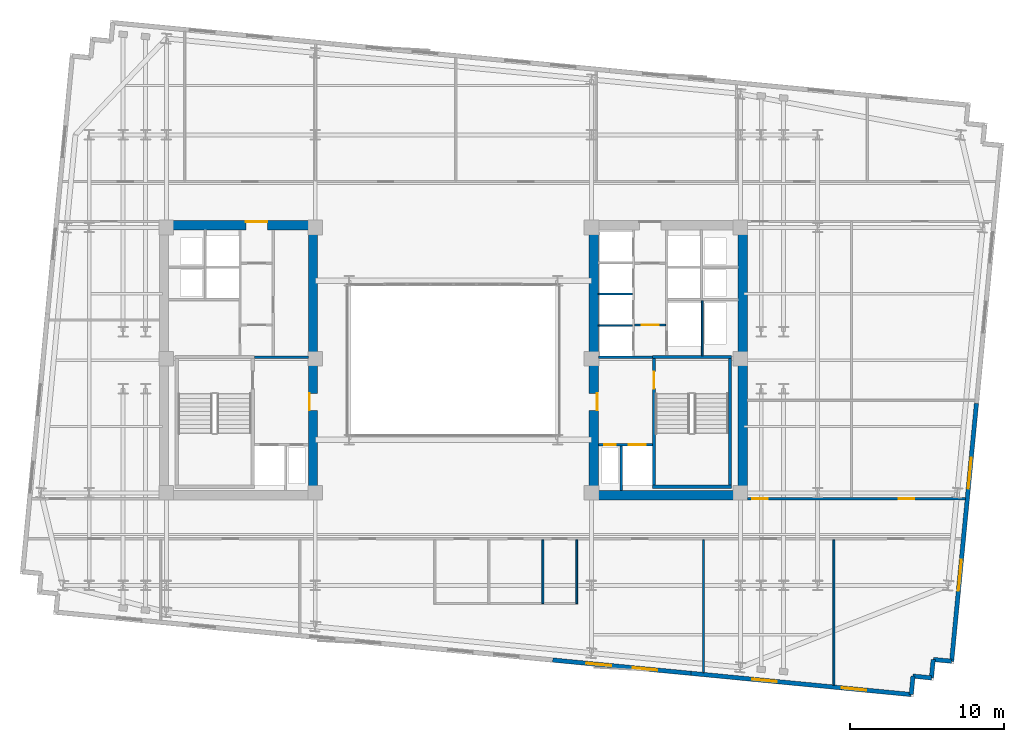
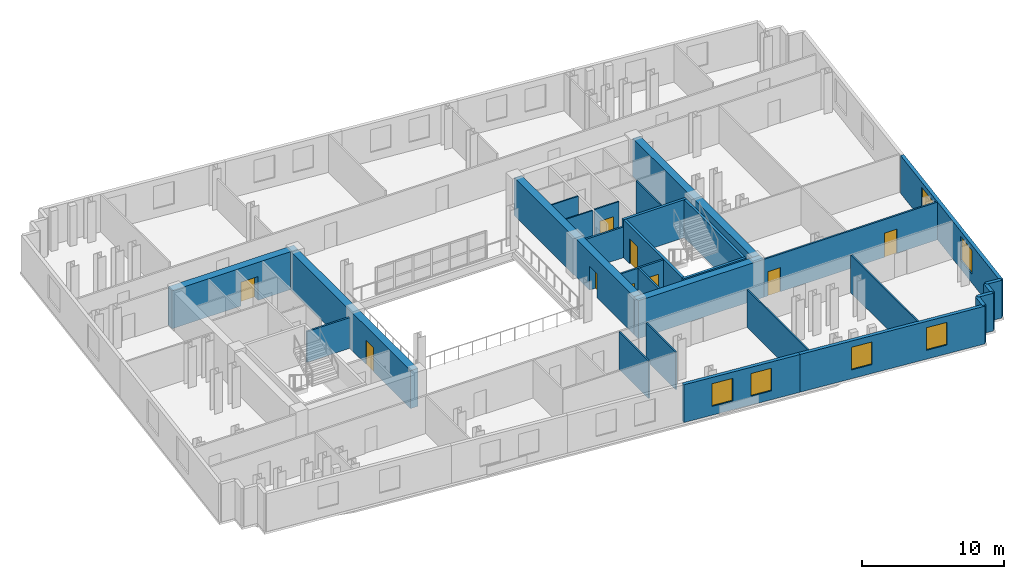
# One storey, part 6 of 10: 29 walls, 9 doors, 6 windows, 15 openings.
"""IFC4 building model written with IfcOpenShell, lengths in metres."""

from ifc_helpers import new_model, si_unit, direction, frame, frame_2d, origin, place, context, subcontext, project, spatial, rectangle, extrude, material, layer, layer_set, type_object, element, fill, save


model = new_model("IFC4")

# Units and contexts
model_context = context("Model", 3, precision=1e-05, world=origin(), true_north=direction((0.0, 1.0)))
body_context = subcontext(model_context, "Body", "Model", "MODEL_VIEW")
ifc_project = project(units=[si_unit("LENGTHUNIT", "METRE"), si_unit("AREAUNIT", "SQUARE_METRE"), si_unit("VOLUMEUNIT", "CUBIC_METRE"), si_unit("PLANEANGLEUNIT", "RADIAN"), si_unit("MASSUNIT", "GRAM", prefix="KILO")], contexts=[model_context])

# Site, building, storey
site_placement = place(None, origin())
site = spatial("IfcSite", under=ifc_project, at=site_placement, CompositionType="ELEMENT")
building_placement = place(site_placement, origin())
building = spatial("IfcBuilding", under=site, at=building_placement, Name="Velakula Bourse", CompositionType="ELEMENT")
storey_placement = place(building_placement, frame((0.0, 0.0, 188.0)))
storey = spatial("IfcBuildingStorey", under=building, at=storey_placement, Name="L51", CompositionType="ELEMENT", Elevation=188.0)

# Wall, opening, door
ifc_material_1 = material(Name="Concrete M50 (fck 50 MPa)", Category="concrete")
ifc_layer_1 = layer(ifc_material_1, 0.2099609375, Name="Concrete M50 (fck 50 MPa)", Category="concrete")
ifc_layer_set_1 = layer_set([ifc_layer_1], Name="Concrete M50 (fck 50 MPa)")
wall_type_1 = type_object("IfcWallType", Name="WL-CORE-210", PredefinedType="SHEAR", material=ifc_layer_set_1)
wall_1_placement = place(storey_placement, frame((12.9951171875, -8.10009765625, 0.0), z_axis=(0.0, 0.0, 1.0), x_axis=(0.0, 1.0, 0.0)))
wall_1 = element("IfcWall", 1, at=wall_1_placement, inside=storey, type_object=wall_type_1, Name="L51 Core E Stairwell Shear Wall IN", PredefinedType="SHEAR", context=body_context, shape_type="SweptSolid", body=[
    extrude(rectangle(XDim=8.2001953125, YDim=0.2099609375, at=frame_2d((4.10009765625, 0.0))), origin(), (0.0, 0.0, 1.0), 3.27001953125),
])
opening_1_placement = place(wall_1_placement, frame((6.25, 0.0, 0.0)))
opening_1 = element("IfcOpeningElement", 2, at=opening_1_placement, cuts=wall_1, Name="Opening D-STE1", PredefinedType="OPENING", context=body_context, shape_type="SweptSolid", body=[
    extrude(rectangle(XDim=1.10009765625, YDim=2.14990234375, at=frame_2d((0.550048828125, 1.074951171875))), frame((0.0, 0.114990234375, 0.0), z_axis=(0.0, -1.0, 0.0), x_axis=(1.0, 0.0, 0.0)), (0.0, 0.0, 1.0), 0.22998046875),
])
ifc_material_2 = material(Name="Galvanised painted hollow steel fire door", Category="steel")
door_type_1 = type_object("IfcDoorType", Name="DR-FD120-1100x2150", OperationType="NOTDEFINED", PredefinedType="DOOR", material=ifc_material_2)
door_1_placement = place(opening_1_placement, origin())
door_1 = element("IfcDoor", 3, at=door_1_placement, inside=storey, type_object=door_type_1, Name="L51 Stair ST-E1 Fire Door", OperationType="SINGLE_SWING_RIGHT", OverallHeight=2.14990234375, OverallWidth=1.10009765625, PredefinedType="DOOR", context=body_context, shape_type="SweptSolid", body=[
    extrude(rectangle(XDim=1.10009765625, YDim=2.14990234375, at=frame_2d((0.550048828125, 1.074951171875))), frame((0.0, 0.02490234375, 0.0), z_axis=(0.0, -1.0, 0.0), x_axis=(1.0, 0.0, 0.0)), (0.0, 0.0, 1.0), 0.050048828125),
])
fill(opening_1, door_1)

# Walls
wall_2_placement = place(storey_placement, frame((17.925048828125, -8.10009765625, 0.0), z_axis=(0.0, 0.0, 1.0), x_axis=(0.0, 1.0, 0.0)))
element("IfcWall", 4, at=wall_2_placement, inside=storey, type_object=wall_type_1, Name="L51 Core E Stairwell Shear Wall OUT", PredefinedType="SHEAR", context=body_context, shape_type="SweptSolid", body=[
    extrude(rectangle(XDim=8.2001953125, YDim=0.2099609375, at=frame_2d((4.10009765625, 0.0))), origin(), (0.0, 0.0, 1.0), 3.27001953125),
])
for number, where, z_axis, x_axis, name in (
    (5, (12.889892578125, -8.205078125, 0.0), (0.0, 0.0, 1.0), (1.0, 0.0, 0.0), "L51 Core E Stairwell Shear Wall S"),
    (6, (18.030029296875, 0.205078125, 0.0), (0.0, 0.0, 1.0), (-1.0, 0.0, 0.0), "L51 Core E Stairwell Shear Wall N"),
):
    element("IfcWall", number, at=place(storey_placement, frame(where, z_axis=z_axis, x_axis=x_axis)), inside=storey, type_object=wall_type_1, Name=name, PredefinedType="SHEAR", context=body_context, shape_type="SweptSolid", body=[
        extrude(rectangle(XDim=5.14013671875, YDim=0.2099609375, at=frame_2d((2.570068359375, 0.0))), origin(), (0.0, 0.0, 1.0), 3.27001953125),
    ])

# Wall, opening, door
ifc_material_3 = material(Name="Concrete M70 (fck 70 MPa)", Category="concrete")
ifc_layer_2 = layer(ifc_material_3, 0.60009765625, Name="Concrete M70 (fck 70 MPa)", Category="concrete")
ifc_layer_set_2 = layer_set([ifc_layer_2], Name="Concrete M70 (fck 70 MPa)")
wall_type_2 = type_object("IfcWallType", Name="WL-CORE-600", PredefinedType="SHEAR", material=ifc_layer_set_2)
wall_3_placement = place(storey_placement, frame((-19.050048828125, 8.75, 0.0), z_axis=(0.0, 0.0, 1.0), x_axis=(1.0, 0.0, 0.0)))
wall_3 = element("IfcWall", 7, at=wall_3_placement, inside=storey, type_object=wall_type_2, Name="L51 Core W Shear Wall N", PredefinedType="SHEAR", context=body_context, shape_type="SweptSolid", body=[
    extrude(rectangle(XDim=10.25, YDim=0.60009765625, at=frame_2d((5.125, 0.0))), origin(), (0.0, 0.0, 1.0), 3.27001953125),
])
opening_2_placement = place(wall_3_placement, frame((5.60009765625, 0.0, 0.0)))
opening_2 = element("IfcOpeningElement", 8, at=opening_2_placement, cuts=wall_3, Name="Opening D-LLW", PredefinedType="OPENING", context=body_context, shape_type="SweptSolid", body=[
    extrude(rectangle(XDim=1.39990234375, YDim=2.050048828125, at=frame_2d((0.699951171875, 1.02490234375))), frame((0.0, 0.31005859375, 0.0), z_axis=(0.0, -1.0, 0.0), x_axis=(1.0, 0.0, 0.0)), (0.0, 0.0, 1.0), 0.6201171875),
])
ifc_material_4 = material(Name="Fire-rated hardwood flush architectural door", Category="wood")
door_type_2 = type_object("IfcDoorType", Name="DR-DBL-FD60-1400", OperationType="DOUBLE_DOOR_SINGLE_SWING", PredefinedType="DOOR", material=ifc_material_4)
door_2_placement = place(opening_2_placement, origin())
door_2 = element("IfcDoor", 9, at=door_2_placement, inside=storey, type_object=door_type_2, Name="L51 Core W Lift Lobby Corridor Double Door", OperationType="DOUBLE_DOOR_SINGLE_SWING", OverallHeight=2.050048828125, OverallWidth=1.39990234375, PredefinedType="DOOR", context=body_context, shape_type="SweptSolid", body=[
    extrude(rectangle(XDim=1.39990234375, YDim=2.050048828125, at=frame_2d((0.699951171875, 1.02490234375))), frame((0.0, 0.2451171875, 0.0), z_axis=(0.0, -1.0, 0.0), x_axis=(1.0, 0.0, 0.0)), (0.0, 0.0, 1.0), 0.050048828125),
])
fill(opening_2, door_2)

wall_4_placement = place(storey_placement, frame((-9.10009765625, -8.449951171875, 0.0), z_axis=(0.0, 0.0, 1.0), x_axis=(0.0, 1.0, 0.0)))
wall_4 = element("IfcWall", 10, at=wall_4_placement, inside=storey, type_object=wall_type_2, Name="L51 Core W Shear Wall E", PredefinedType="SHEAR", context=body_context, shape_type="SweptSolid", body=[
    extrude(rectangle(XDim=16.89990234375, YDim=0.60009765625, at=frame_2d((8.449951171875, 0.0))), origin(), (0.0, 0.0, 1.0), 3.27001953125),
])
opening_3_placement = place(wall_4_placement, frame((5.199951171875, 0.0, 0.0)))
opening_3 = element("IfcOpeningElement", 11, at=opening_3_placement, cuts=wall_4, Name="Opening D-FLW", PredefinedType="OPENING", context=body_context, shape_type="SweptSolid", body=[
    extrude(rectangle(XDim=1.10009765625, YDim=2.080078125, at=frame_2d((0.550048828125, 1.0400390625))), frame((0.0, 0.31005859375, 0.0), z_axis=(0.0, -1.0, 0.0), x_axis=(1.0, 0.0, 0.0)), (0.0, 0.0, 1.0), 0.6201171875),
])
door_type_3 = type_object("IfcDoorType", Name="DR-FD120-1100", OperationType="NOTDEFINED", PredefinedType="DOOR", material=ifc_material_2)
door_3_placement = place(opening_3_placement, origin())
door_3 = element("IfcDoor", 12, at=door_3_placement, inside=storey, type_object=door_type_3, Name="L51 Firefighting Lobby W Corridor Fire Door", OperationType="SINGLE_SWING_LEFT", OverallHeight=2.080078125, OverallWidth=1.10009765625, PredefinedType="DOOR", context=body_context, shape_type="SweptSolid", body=[
    extrude(rectangle(XDim=1.10009765625, YDim=2.080078125, at=frame_2d((0.550048828125, 1.0400390625))), frame((0.0, 0.2548828125, 0.0), z_axis=(0.0, -1.0, 0.0), x_axis=(1.0, 0.0, 0.0)), (0.0, 0.0, 1.0), 0.050048828125),
])
fill(opening_3, door_3)

# Wall
wall_5_placement = place(storey_placement, frame((8.800048828125, -8.75, 0.0), z_axis=(0.0, 0.0, 1.0), x_axis=(1.0, 0.0, 0.0)))
element("IfcWall", 13, at=wall_5_placement, inside=storey, type_object=wall_type_2, Name="L51 Core E Shear Wall S", PredefinedType="SHEAR", context=body_context, shape_type="SweptSolid", body=[
    extrude(rectangle(XDim=10.25, YDim=0.60009765625, at=frame_2d((5.125, 0.0))), origin(), (0.0, 0.0, 1.0), 3.27001953125),
])

# Wall, opening, door
wall_6_placement = place(storey_placement, frame((9.10009765625, -8.449951171875, 0.0), z_axis=(0.0, 0.0, 1.0), x_axis=(0.0, 1.0, 0.0)))
wall_6 = element("IfcWall", 14, at=wall_6_placement, inside=storey, type_object=wall_type_2, Name="L51 Core E Shear Wall W", PredefinedType="SHEAR", context=body_context, shape_type="SweptSolid", body=[
    extrude(rectangle(XDim=16.89990234375, YDim=0.60009765625, at=frame_2d((8.449951171875, 0.0))), origin(), (0.0, 0.0, 1.0), 3.27001953125),
])
opening_4_placement = place(wall_6_placement, frame((5.199951171875, 0.0, 0.0)))
opening_4 = element("IfcOpeningElement", 15, at=opening_4_placement, cuts=wall_6, Name="Opening D-FLE", PredefinedType="OPENING", context=body_context, shape_type="SweptSolid", body=[
    extrude(rectangle(XDim=1.10009765625, YDim=2.080078125, at=frame_2d((0.550048828125, 1.0400390625))), frame((0.0, 0.31005859375, 0.0), z_axis=(0.0, -1.0, 0.0), x_axis=(1.0, 0.0, 0.0)), (0.0, 0.0, 1.0), 0.6201171875),
])
door_4_placement = place(opening_4_placement, origin())
door_4 = element("IfcDoor", 16, at=door_4_placement, inside=storey, type_object=door_type_3, Name="L51 Firefighting Lobby E Corridor Fire Door", OperationType="SINGLE_SWING_RIGHT", OverallHeight=2.080078125, OverallWidth=1.10009765625, PredefinedType="DOOR", context=body_context, shape_type="SweptSolid", body=[
    extrude(rectangle(XDim=1.10009765625, YDim=2.080078125, at=frame_2d((0.550048828125, 1.0400390625))), frame((0.0, -0.205078125, 0.0), z_axis=(0.0, -1.0, 0.0), x_axis=(1.0, 0.0, 0.0)), (0.0, 0.0, 1.0), 0.050048828125),
])
fill(opening_4, door_4)

# Wall
wall_7_placement = place(storey_placement, frame((18.75, -8.449951171875, 0.0), z_axis=(0.0, 0.0, 1.0), x_axis=(0.0, 1.0, 0.0)))
element("IfcWall", 17, at=wall_7_placement, inside=storey, type_object=wall_type_2, Name="L51 Core E Shear Wall E", PredefinedType="SHEAR", context=body_context, shape_type="SweptSolid", body=[
    extrude(rectangle(XDim=16.89990234375, YDim=0.60009765625, at=frame_2d((8.449951171875, 0.0))), origin(), (0.0, 0.0, 1.0), 3.27001953125),
])

# Wall, openings, windows
ifc_material_5 = material(Name="Red kilned clay facing brick masonry", Category="masonry")
ifc_layer_3 = layer(ifc_material_5, 0.280029296875, Name="Red kilned clay facing brick masonry", Category="masonry")
ifc_layer_set_3 = layer_set([ifc_layer_3], Name="Red kilned clay facing brick masonry")
wall_type_3 = type_object("IfcWallType", Name="WL-EXT-BRK-280", PredefinedType="STANDARD", material=ifc_layer_set_3)
wall_8_placement = place(storey_placement, frame((15.398681640625, -20.295654296875, 0.0), z_axis=(0.0, 0.0, 1.0), x_axis=(-0.995394455533, 0.09586385082, 0.0)))
wall_8 = element("IfcWall", 18, at=wall_8_placement, inside=storey, type_object=wall_type_3, Name="L51 S Brick Spandrel Wall B4", PredefinedType="STANDARD", context=body_context, shape_type="SweptSolid", body=[
    extrude(rectangle(XDim=9.000244140625, YDim=0.280029296875, at=frame_2d((4.5, 0.0))), origin(), (0.0, 0.0, 1.0), 3.25),
])
opening_5_placement = place(wall_8_placement, frame((2.199951171875, 0.0, 0.760009765625)))
opening_5 = element("IfcOpeningElement", 19, at=opening_5_placement, cuts=wall_8, Name="Opening W-02", PredefinedType="OPENING", context=body_context, shape_type="SweptSolid", body=[
    extrude(rectangle(XDim=1.60009765625, YDim=1.949951171875, at=frame_2d((0.800048828125, 0.97509765625))), frame((0.0, 0.14990234375, 0.0), z_axis=(0.0, -1.0, 0.0), x_axis=(1.0, 0.0, 0.0)), (0.0, 0.0, 1.0), 0.300048828125),
])
opening_6_placement = place(wall_8_placement, frame((5.199951171875, 0.0, 0.760009765625)))
opening_6 = element("IfcOpeningElement", 20, at=opening_6_placement, cuts=wall_8, Name="Opening W-02", PredefinedType="OPENING", context=body_context, shape_type="SweptSolid", body=[
    extrude(rectangle(XDim=1.60009765625, YDim=1.949951171875, at=frame_2d((0.800048828125, 0.97509765625))), frame((0.0, 0.14990234375, 0.0), z_axis=(0.0, -1.0, 0.0), x_axis=(1.0, 0.0, 0.0)), (0.0, 0.0, 1.0), 0.300048828125),
])
ifc_material_6 = material(Name="Double-glazed solar-control Low-E glass", Category="glass")
window_type_1 = type_object("IfcWindowType", Name="WIN-TWR-1600x2100", PartitioningType="SINGLE_PANEL", PredefinedType="WINDOW", material=ifc_material_6)
window_1_placement = place(opening_5_placement, origin())
window_1 = element("IfcWindow", 21, at=window_1_placement, inside=storey, type_object=window_type_1, Name="L51 Deep-Set Recessed Window 1", OverallHeight=1.949951171875, OverallWidth=1.60009765625, PartitioningType="SINGLE_PANEL", PredefinedType="WINDOW", context=body_context, shape_type="SweptSolid", body=[
    extrude(rectangle(XDim=1.60009765625, YDim=1.949951171875, at=frame_2d((0.800048828125, 0.97509765625))), frame((0.0, 0.030029296875, 0.0), z_axis=(0.0, -1.0, 0.0), x_axis=(1.0, 0.0, 0.0)), (0.0, 0.0, 1.0), 0.06005859375),
])
fill(opening_5, window_1)
window_2_placement = place(opening_6_placement, origin())
window_2 = element("IfcWindow", 22, at=window_2_placement, inside=storey, type_object=window_type_1, Name="L51 Deep-Set Recessed Window 2", OverallHeight=1.949951171875, OverallWidth=1.60009765625, PartitioningType="SINGLE_PANEL", PredefinedType="WINDOW", context=body_context, shape_type="SweptSolid", body=[
    extrude(rectangle(XDim=1.60009765625, YDim=1.949951171875, at=frame_2d((0.800048828125, 0.97509765625))), frame((0.0, 0.030029296875, 0.0), z_axis=(0.0, -1.0, 0.0), x_axis=(1.0, 0.0, 0.0)), (0.0, 0.0, 1.0), 0.06005859375),
])
fill(opening_6, window_2)

wall_9_placement = place(storey_placement, frame((29.672607421875, -21.669921875, 0.0), z_axis=(0.0, 0.0, 1.0), x_axis=(-0.995397230529, 0.095835032509, 0.0)))
wall_9 = element("IfcWall", 23, at=wall_9_placement, inside=storey, type_object=wall_type_3, Name="L51 S Brick Spandrel Wall B5", PredefinedType="STANDARD", context=body_context, shape_type="SweptSolid", body=[
    extrude(rectangle(XDim=14.33984375, YDim=0.280029296875, at=frame_2d((7.169921875, 0.0))), origin(), (0.0, 0.0, 1.0), 3.25),
])
opening_7_placement = place(wall_9_placement, frame((2.929931640625, 0.0, 0.760009765625)))
opening_7 = element("IfcOpeningElement", 24, at=opening_7_placement, cuts=wall_9, Name="Opening W-02", PredefinedType="OPENING", context=body_context, shape_type="SweptSolid", body=[
    extrude(rectangle(XDim=1.60009765625, YDim=1.949951171875, at=frame_2d((0.800048828125, 0.97509765625))), frame((0.0, 0.14990234375, 0.0), z_axis=(0.0, -1.0, 0.0), x_axis=(1.0, 0.0, 0.0)), (0.0, 0.0, 1.0), 0.300048828125),
])
opening_8_placement = place(wall_9_placement, frame((8.760009765625, 0.0, 0.760009765625)))
opening_8 = element("IfcOpeningElement", 25, at=opening_8_placement, cuts=wall_9, Name="Opening W-02", PredefinedType="OPENING", context=body_context, shape_type="SweptSolid", body=[
    extrude(rectangle(XDim=1.60009765625, YDim=1.949951171875, at=frame_2d((0.800048828125, 0.97509765625))), frame((0.0, 0.14990234375, 0.0), z_axis=(0.0, -1.0, 0.0), x_axis=(1.0, 0.0, 0.0)), (0.0, 0.0, 1.0), 0.300048828125),
])
window_3_placement = place(opening_7_placement, origin())
window_3 = element("IfcWindow", 26, at=window_3_placement, inside=storey, type_object=window_type_1, Name="L51 Deep-Set Recessed Window 1", OverallHeight=1.949951171875, OverallWidth=1.60009765625, PartitioningType="SINGLE_PANEL", PredefinedType="WINDOW", context=body_context, shape_type="SweptSolid", body=[
    extrude(rectangle(XDim=1.60009765625, YDim=1.949951171875, at=frame_2d((0.800048828125, 0.97509765625))), frame((0.0, 0.030029296875, 0.0), z_axis=(0.0, -1.0, 0.0), x_axis=(1.0, 0.0, 0.0)), (0.0, 0.0, 1.0), 0.06005859375),
])
fill(opening_7, window_3)
window_4_placement = place(opening_8_placement, origin())
window_4 = element("IfcWindow", 27, at=window_4_placement, inside=storey, type_object=window_type_1, Name="L51 Deep-Set Recessed Window 2", OverallHeight=1.949951171875, OverallWidth=1.60009765625, PartitioningType="SINGLE_PANEL", PredefinedType="WINDOW", context=body_context, shape_type="SweptSolid", body=[
    extrude(rectangle(XDim=1.60009765625, YDim=1.949951171875, at=frame_2d((0.800048828125, 0.97509765625))), frame((0.0, 0.030029296875, 0.0), z_axis=(0.0, -1.0, 0.0), x_axis=(1.0, 0.0, 0.0)), (0.0, 0.0, 1.0), 0.06005859375),
])
fill(opening_8, window_4)

wall_10_placement = place(storey_placement, frame((33.90087890625, -2.79833984375, 0.0), z_axis=(0.0, 0.0, 1.0), x_axis=(-0.095853434568, -0.99539545864, 0.0)))
wall_10 = element("IfcWall", 28, at=wall_10_placement, inside=storey, type_object=wall_type_3, Name="L51 E Brick End Wall W1", PredefinedType="STANDARD", context=body_context, shape_type="SweptSolid", body=[
    extrude(rectangle(XDim=16.7900390625, YDim=0.280029296875, at=frame_2d((8.39501953125, 0.0))), origin(), (0.0, 0.0, 1.0), 3.25),
])
opening_9_placement = place(wall_10_placement, frame((3.546630859375, 0.0, 0.760009765625)))
opening_9 = element("IfcOpeningElement", 29, at=opening_9_placement, cuts=wall_10, Name="Opening W-05", PredefinedType="OPENING", context=body_context, shape_type="SweptSolid", body=[
    extrude(rectangle(XDim=2.0, YDim=2.050048828125, at=frame_2d((1.0, 1.02490234375))), frame((0.0, 0.14990234375, 0.0), z_axis=(0.0, -1.0, 0.0), x_axis=(1.0, 0.0, 0.0)), (0.0, 0.0, 1.0), 0.300048828125),
])
opening_10_placement = place(wall_10_placement, frame((10.193359375, 0.0, 0.760009765625)))
opening_10 = element("IfcOpeningElement", 30, at=opening_10_placement, cuts=wall_10, Name="Opening W-05", PredefinedType="OPENING", context=body_context, shape_type="SweptSolid", body=[
    extrude(rectangle(XDim=2.0, YDim=2.050048828125, at=frame_2d((1.0, 1.02490234375))), frame((0.0, 0.14990234375, 0.0), z_axis=(0.0, -1.0, 0.0), x_axis=(1.0, 0.0, 0.0)), (0.0, 0.0, 1.0), 0.300048828125),
])
window_type_2 = type_object("IfcWindowType", Name="WIN-TWR-2000x2200", PartitioningType="DOUBLE_PANEL_VERTICAL", PredefinedType="WINDOW", material=ifc_material_6)
window_5_placement = place(opening_9_placement, origin())
window_5 = element("IfcWindow", 31, at=window_5_placement, inside=storey, type_object=window_type_2, Name="L51 Deep-Set Recessed Window 1", OverallHeight=2.050048828125, OverallWidth=2.0, PartitioningType="DOUBLE_PANEL_VERTICAL", PredefinedType="WINDOW", context=body_context, shape_type="SweptSolid", body=[
    extrude(rectangle(XDim=2.0, YDim=2.050048828125, at=frame_2d((1.0, 1.02490234375))), frame((0.0, 0.030029296875, 0.0), z_axis=(0.0, -1.0, 0.0), x_axis=(1.0, 0.0, 0.0)), (0.0, 0.0, 1.0), 0.06005859375),
])
fill(opening_9, window_5)
window_6_placement = place(opening_10_placement, origin())
window_6 = element("IfcWindow", 32, at=window_6_placement, inside=storey, type_object=window_type_2, Name="L51 Deep-Set Recessed Window 2", OverallHeight=2.050048828125, OverallWidth=2.0, PartitioningType="DOUBLE_PANEL_VERTICAL", PredefinedType="WINDOW", context=body_context, shape_type="SweptSolid", body=[
    extrude(rectangle(XDim=2.0, YDim=2.050048828125, at=frame_2d((1.0, 1.02490234375))), frame((0.0, 0.030029296875, 0.0), z_axis=(0.0, -1.0, 0.0), x_axis=(1.0, 0.0, 0.0)), (0.0, 0.0, 1.0), 0.06005859375),
])
fill(opening_10, window_6)

# Walls
for number, where, z_axis, x_axis, name in (
    (33, (29.672607421875, -21.669921875, 0.0), (0.0, 0.0, 1.0), (0.095836473879, 0.995397091755, 0.0), "L51 Serrated Corner Brick Wall SE-1"),
    (34, (29.78759765625, -20.4755859375, 0.0), (0.0, 0.0, 1.0), (0.995397091755, -0.095836473879, 0.0), "L51 Serrated Corner Brick Wall SE-2"),
):
    element("IfcWall", number, at=place(storey_placement, frame(where, z_axis=z_axis, x_axis=x_axis)), inside=storey, type_object=wall_type_3, Name=name, PredefinedType="STANDARD", context=body_context, shape_type="SweptSolid", body=[
        extrude(rectangle(XDim=1.199951171875, YDim=0.280029296875, at=frame_2d((0.60009765625, 0.0))), origin(), (0.0, 0.0, 1.0), 3.25),
    ])
wall_11_placement = place(storey_placement, frame((30.98193359375, -20.590576171875, 0.0), z_axis=(0.0, 0.0, 1.0), x_axis=(0.096018626938, 0.995379537303, 0.0)))
element("IfcWall", 35, at=wall_11_placement, inside=storey, type_object=wall_type_3, Name="L51 Serrated Corner Brick Wall SE-3", PredefinedType="STANDARD", context=body_context, shape_type="SweptSolid", body=[
    extrude(rectangle(XDim=1.2001953125, YDim=0.280029296875, at=frame_2d((0.60009765625, 0.0))), origin(), (0.0, 0.0, 1.0), 3.25),
])
wall_12_placement = place(storey_placement, frame((31.09716796875, -19.39599609375, 0.0), z_axis=(0.0, 0.0, 1.0), x_axis=(0.995397091755, -0.095836473879, 0.0)))
element("IfcWall", 36, at=wall_12_placement, inside=storey, type_object=wall_type_3, Name="L51 Serrated Corner Brick Wall SE-4", PredefinedType="STANDARD", context=body_context, shape_type="SweptSolid", body=[
    extrude(rectangle(XDim=1.199951171875, YDim=0.280029296875, at=frame_2d((0.60009765625, 0.0))), origin(), (0.0, 0.0, 1.0), 3.25),
])

# Wall, opening, door
ifc_material_7 = material(Name="Fire-rated double-layer gypsum drywall partition", Category="gypsum")
ifc_layer_4 = layer(ifc_material_7, 0.1201171875, Name="Fire-rated double-layer gypsum drywall partition", Category="gypsum")
ifc_layer_set_4 = layer_set([ifc_layer_4], Name="Fire-rated double-layer gypsum drywall partition")
wall_type_4 = type_object("IfcWallType", Name="WL-PART-120", PredefinedType="STANDARD", material=ifc_layer_set_4)
wall_13_placement = place(storey_placement, frame((11.75, 2.280029296875, 0.0), z_axis=(0.0, 0.0, 1.0), x_axis=(1.0, 0.0, 0.0)))
wall_13 = element("IfcWall", 37, at=wall_13_placement, inside=storey, type_object=wall_type_4, Name="L51 Interior Partition WL-CRE-L51-LL-K3A", PredefinedType="STANDARD", context=body_context, shape_type="SweptSolid", body=[
    extrude(rectangle(XDim=2.0, YDim=0.1201171875, at=frame_2d((1.0, 0.0))), origin(), (0.0, 0.0, 1.0), 3.25),
])
opening_11_placement = place(wall_13_placement, frame((0.449951171875, 0.0, 0.0)))
opening_11 = element("IfcOpeningElement", 38, at=opening_11_placement, cuts=wall_13, Name="Opening D-LK3", PredefinedType="OPENING", context=body_context, shape_type="SweptSolid", body=[
    extrude(rectangle(XDim=1.10009765625, YDim=2.10009765625, at=frame_2d((0.550048828125, 1.050048828125))), frame((0.0, 0.070068359375, 0.0), z_axis=(0.0, -1.0, 0.0), x_axis=(1.0, 0.0, 0.0)), (0.0, 0.0, 1.0), 0.14013671875),
])
door_type_4 = type_object("IfcDoorType", Name="DR-FD60-1100x2100", OperationType="NOTDEFINED", PredefinedType="DOOR", material=ifc_material_4)
door_5_placement = place(opening_11_placement, origin())
door_5 = element("IfcDoor", 39, at=door_5_placement, inside=storey, type_object=door_type_4, Name="L51 Core E Lift Lobby Vestibule Door A", OperationType="SINGLE_SWING_RIGHT", OverallHeight=2.10009765625, OverallWidth=1.10009765625, PredefinedType="DOOR", context=body_context, shape_type="SweptSolid", body=[
    extrude(rectangle(XDim=1.10009765625, YDim=2.10009765625, at=frame_2d((0.550048828125, 1.050048828125))), frame((0.0, 0.02490234375, 0.0), z_axis=(0.0, -1.0, 0.0), x_axis=(1.0, 0.0, 0.0)), (0.0, 0.0, 1.0), 0.050048828125),
])
fill(opening_11, door_5)

# Walls
for number, where, z_axis, x_axis, name in (
    (40, (9.39990234375, 2.2548828125, 0.0), (0.0, 0.0, 1.0), (1.0, 0.0, 0.0), "L51 Interior Partition WL-CRE-L51-BDIV-0"),
    (41, (9.39990234375, 4.284912109375, 0.0), (0.0, 0.0, 1.0), (1.0, 0.0, 0.0), "L51 Interior Partition WL-CRE-L51-BDIV-1"),
):
    element("IfcWall", number, at=place(storey_placement, frame(where, z_axis=z_axis, x_axis=x_axis)), inside=storey, type_object=wall_type_4, Name=name, PredefinedType="STANDARD", context=body_context, shape_type="SweptSolid", body=[
        extrude(rectangle(XDim=2.2001953125, YDim=0.110107421875, at=frame_2d((1.10009765625, 0.0))), origin(), (0.0, 0.0, 1.0), 3.25),
    ])
wall_14_placement = place(storey_placement, frame((16.125, 0.27001953125, 0.0), z_axis=(0.0, 0.0, 1.0), x_axis=(0.0, 1.0, 0.0)))
element("IfcWall", 42, at=wall_14_placement, inside=storey, type_object=wall_type_4, Name="L51 Interior Partition WL-CRE-L51-SVL-E", PredefinedType="STANDARD", context=body_context, shape_type="SweptSolid", body=[
    extrude(rectangle(XDim=3.590087890625, YDim=0.1201171875, at=frame_2d((1.794921875, 0.0))), origin(), (0.0, 0.0, 1.0), 3.25),
])
for number, where, z_axis, x_axis, name in (
    (43, (5.800048828125, -15.77001953125, 0.0), (0.0, 0.0, 1.0), (0.0, 1.0, 0.0), "L51 Interior Partition WL-WC-L51-V3"),
    (44, (8.0, -15.77001953125, 0.0), (0.0, 0.0, 1.0), (0.0, 1.0, 0.0), "L51 Interior Partition WL-WC-L51-V4"),
):
    element("IfcWall", number, at=place(storey_placement, frame(where, z_axis=z_axis, x_axis=x_axis)), inside=storey, type_object=wall_type_4, Name=name, PredefinedType="STANDARD", context=body_context, shape_type="SweptSolid", body=[
        extrude(rectangle(XDim=4.130126953125, YDim=0.1201171875, at=frame_2d((2.06494140625, 0.0))), origin(), (0.0, 0.0, 1.0), 3.25),
    ])
wall_15_placement = place(storey_placement, frame((16.20703125, -20.2529296875, 0.0), z_axis=(0.0, 0.0, 1.0), x_axis=(0.0, 1.0, 0.0)))
element("IfcWall", 45, at=wall_15_placement, inside=storey, type_object=wall_type_4, Name="L51 Interior Partition WL-INT-L51-SR-D7", PredefinedType="STANDARD", context=body_context, shape_type="SweptSolid", body=[
    extrude(rectangle(XDim=8.613037109375, YDim=0.1201171875, at=frame_2d((4.306640625, 0.0))), origin(), (0.0, 0.0, 1.0), 3.25),
])
wall_16_placement = place(storey_placement, frame((24.662109375, -21.06689453125, 0.0), z_axis=(0.0, 0.0, 1.0), x_axis=(0.0, 1.0, 0.0)))
element("IfcWall", 46, at=wall_16_placement, inside=storey, type_object=wall_type_4, Name="L51 Interior Partition WL-INT-L51-SR-D8", PredefinedType="STANDARD", context=body_context, shape_type="SweptSolid", body=[
    extrude(rectangle(XDim=9.427001953125, YDim=0.1201171875, at=frame_2d((4.71337890625, 0.0))), origin(), (0.0, 0.0, 1.0), 3.25),
])

# Wall, openings, doors
ifc_layer_5 = layer(ifc_material_7, 0.139892578125, Name="Fire-rated double-layer gypsum drywall partition", Category="gypsum")
ifc_layer_set_5 = layer_set([ifc_layer_5], Name="Fire-rated double-layer gypsum drywall partition")
wall_type_5 = type_object("IfcWallType", Name="WL-PART-140", PredefinedType="STANDARD", material=ifc_layer_set_5)
wall_17_placement = place(storey_placement, frame((19.050048828125, -8.97998046875, 0.0), z_axis=(0.0, 0.0, 1.0), x_axis=(1.0, 0.0, 0.0)))
wall_17 = element("IfcWall", 47, at=wall_17_placement, inside=storey, type_object=wall_type_5, Name="L51 Interior Partition WL-INT-L51-E-SC", PredefinedType="STANDARD", context=body_context, shape_type="SweptSolid", body=[
    extrude(rectangle(XDim=14.135009765625, YDim=0.139892578125, at=frame_2d((7.0673828125, 0.0))), origin(), (0.0, 0.0, 1.0), 3.25),
])
opening_12_placement = place(wall_17_placement, frame((0.320068359375, 0.0, 0.0)))
opening_12 = element("IfcOpeningElement", 48, at=opening_12_placement, cuts=wall_17, Name="Opening D-OF1", PredefinedType="OPENING", context=body_context, shape_type="SweptSolid", body=[
    extrude(rectangle(XDim=1.0, YDim=2.080078125, at=frame_2d((0.5, 1.0400390625))), frame((0.0, 0.079833984375, 0.0), z_axis=(0.0, -1.0, 0.0), x_axis=(1.0, 0.0, 0.0)), (0.0, 0.0, 1.0), 0.159912109375),
])
opening_13_placement = place(wall_17_placement, frame((9.8134765625, 0.0, 0.0)))
opening_13 = element("IfcOpeningElement", 49, at=opening_13_placement, cuts=wall_17, Name="Opening D-OF1", PredefinedType="OPENING", context=body_context, shape_type="SweptSolid", body=[
    extrude(rectangle(XDim=1.0, YDim=2.080078125, at=frame_2d((0.5, 1.0400390625))), frame((0.0, 0.079833984375, 0.0), z_axis=(0.0, -1.0, 0.0), x_axis=(1.0, 0.0, 0.0)), (0.0, 0.0, 1.0), 0.159912109375),
])
door_type_5 = type_object("IfcDoorType", Name="DR-OFF-1000", OperationType="NOTDEFINED", PredefinedType="DOOR", material=ifc_material_4)
door_6_placement = place(opening_12_placement, origin())
door_6 = element("IfcDoor", 50, at=door_6_placement, inside=storey, type_object=door_type_5, Name="L51 Compliance Review Office Door", OperationType="SINGLE_SWING_LEFT", OverallHeight=2.080078125, OverallWidth=1.0, PredefinedType="DOOR", context=body_context, shape_type="SweptSolid", body=[
    extrude(rectangle(XDim=1.0, YDim=2.080078125, at=frame_2d((0.5, 1.0400390625))), frame((0.0, 0.02490234375, 0.0), z_axis=(0.0, -1.0, 0.0), x_axis=(1.0, 0.0, 0.0)), (0.0, 0.0, 1.0), 0.050048828125),
])
fill(opening_12, door_6)
door_7_placement = place(opening_13_placement, origin())
door_7 = element("IfcDoor", 51, at=door_7_placement, inside=storey, type_object=door_type_5, Name="L51 Peer Review Boardroom Door", OperationType="SINGLE_SWING_RIGHT", OverallHeight=2.080078125, OverallWidth=1.0, PredefinedType="DOOR", context=body_context, shape_type="SweptSolid", body=[
    extrude(rectangle(XDim=1.0, YDim=2.080078125, at=frame_2d((0.5, 1.0400390625))), frame((0.0, 0.02490234375, 0.0), z_axis=(0.0, -1.0, 0.0), x_axis=(1.0, 0.0, 0.0)), (0.0, 0.0, 1.0), 0.050048828125),
])
fill(opening_13, door_7)

# Wall
ifc_material_8 = material(Name="Autoclaved aerated concrete blockwork masonry", Category="masonry")
ifc_layer_6 = layer(ifc_material_8, 0.14990234375, Name="Autoclaved aerated concrete blockwork masonry", Category="masonry")
ifc_layer_set_6 = layer_set([ifc_layer_6], Name="Autoclaved aerated concrete blockwork masonry")
wall_type_6 = type_object("IfcWallType", Name="WL-SHAFT-150", PredefinedType="STANDARD", material=ifc_layer_set_6)
wall_18_placement = place(storey_placement, frame((-12.889892578125, 0.18994140625, 0.0), z_axis=(0.0, 0.0, 1.0), x_axis=(1.0, 0.0, 0.0)))
element("IfcWall", 52, at=wall_18_placement, inside=storey, type_object=wall_type_6, Name="L51 Interior Partition WL-CRW-L51-FF-TOP", PredefinedType="STANDARD", context=body_context, shape_type="SweptSolid", body=[
    extrude(rectangle(XDim=3.489990234375, YDim=0.14990234375, at=frame_2d((1.7451171875, 0.0))), origin(), (0.0, 0.0, 1.0), 2.64501953125),
])

# Wall, openings, doors
wall_19_placement = place(storey_placement, frame((9.39990234375, -5.47509765625, 0.0), z_axis=(0.0, 0.0, 1.0), x_axis=(1.0, 0.0, 0.0)))
wall_19 = element("IfcWall", 53, at=wall_19_placement, inside=storey, type_object=wall_type_6, Name="L51 Interior Partition WL-CRE-L51-FFL-N", PredefinedType="STANDARD", context=body_context, shape_type="SweptSolid", body=[
    extrude(rectangle(XDim=3.4951171875, YDim=0.14990234375, at=frame_2d((1.74755859375, 0.0))), origin(), (0.0, 0.0, 1.0), 3.25),
])
opening_14_placement = place(wall_19_placement, frame((1.97509765625, 0.0, 0.0)))
opening_14 = element("IfcOpeningElement", 54, at=opening_14_placement, cuts=wall_19, Name="Opening LD-FFL-2", PredefinedType="OPENING", context=body_context, shape_type="SweptSolid", body=[
    extrude(rectangle(XDim=1.10009765625, YDim=2.14990234375, at=frame_2d((0.550048828125, 1.074951171875))), frame((0.0, 0.0849609375, 0.0), z_axis=(0.0, -1.0, 0.0), x_axis=(1.0, 0.0, 0.0)), (0.0, 0.0, 1.0), 0.169921875),
])
opening_15_placement = place(wall_19_placement, frame((0.375, 0.0, 0.0)))
opening_15 = element("IfcOpeningElement", 55, at=opening_15_placement, cuts=wall_19, Name="Opening D-RS1", PredefinedType="OPENING", context=body_context, shape_type="SweptSolid", body=[
    extrude(rectangle(XDim=0.75, YDim=2.050048828125, at=frame_2d((0.375, 1.02490234375))), frame((0.0, 0.0849609375, 0.0), z_axis=(0.0, -1.0, 0.0), x_axis=(1.0, 0.0, 0.0)), (0.0, 0.0, 1.0), 0.169921875),
])
door_type_6 = type_object("IfcDoorType", Name="DR-RISER-800", OperationType="NOTDEFINED", PredefinedType="DOOR", material=ifc_material_2)
door_8_placement = place(opening_15_placement, origin())
door_8 = element("IfcDoor", 56, at=door_8_placement, inside=storey, type_object=door_type_6, Name="L51 Fire Riser Access Door", OperationType="SINGLE_SWING_LEFT", OverallHeight=2.050048828125, OverallWidth=0.75, PredefinedType="DOOR", context=body_context, shape_type="SweptSolid", body=[
    extrude(rectangle(XDim=0.75, YDim=2.050048828125, at=frame_2d((0.375, 1.02490234375))), frame((0.0, 0.02490234375, 0.0), z_axis=(0.0, -1.0, 0.0), x_axis=(1.0, 0.0, 0.0)), (0.0, 0.0, 1.0), 0.050048828125),
])
fill(opening_15, door_8)
ifc_material_9 = material(Name="Brushed grade 316 stainless steel", Category="steel")
door_type_7 = type_object("IfcDoorType", Name="DR-SLIDE-FFL-1100", OperationType="DOUBLE_DOOR_SLIDING", PredefinedType="DOOR", material=ifc_material_9)
door_9_placement = place(opening_14_placement, origin())
door_9 = element("IfcDoor", 57, at=door_9_placement, inside=storey, type_object=door_type_7, Name="L51 Firefighting Lift FFL-2 Sliding Landing Door", OperationType="DOUBLE_DOOR_SLIDING", OverallHeight=2.14990234375, OverallWidth=1.10009765625, PredefinedType="DOOR", context=body_context, shape_type="SweptSolid", body=[
    extrude(rectangle(XDim=1.10009765625, YDim=2.14990234375, at=frame_2d((0.550048828125, 1.074951171875))), frame((0.0, 0.02490234375, 0.0), z_axis=(0.0, -1.0, 0.0), x_axis=(1.0, 0.0, 0.0)), (0.0, 0.0, 1.0), 0.050048828125),
])
fill(opening_14, door_9)

# Walls
wall_20_placement = place(storey_placement, frame((10.875, -8.449951171875, 0.0), z_axis=(0.0, 0.0, 1.0), x_axis=(0.0, 1.0, 0.0)))
element("IfcWall", 58, at=wall_20_placement, inside=storey, type_object=wall_type_6, Name="L51 Interior Partition WL-CRE-L51-FR-DIV", PredefinedType="STANDARD", context=body_context, shape_type="SweptSolid", body=[
    extrude(rectangle(XDim=2.89990234375, YDim=0.14990234375, at=frame_2d((1.449951171875, 0.0))), origin(), (0.0, 0.0, 1.0), 3.25),
])
wall_21_placement = place(storey_placement, frame((9.39990234375, 0.18994140625, 0.0), z_axis=(0.0, 0.0, 1.0), x_axis=(1.0, 0.0, 0.0)))
element("IfcWall", 59, at=wall_21_placement, inside=storey, type_object=wall_type_6, Name="L51 Interior Partition WL-CRE-L51-FF-TOP", PredefinedType="STANDARD", context=body_context, shape_type="SweptSolid", body=[
    extrude(rectangle(XDim=3.489990234375, YDim=0.14990234375, at=frame_2d((1.7451171875, 0.0))), origin(), (0.0, 0.0, 1.0), 2.64501953125),
])

save(model, "model.ifc")
